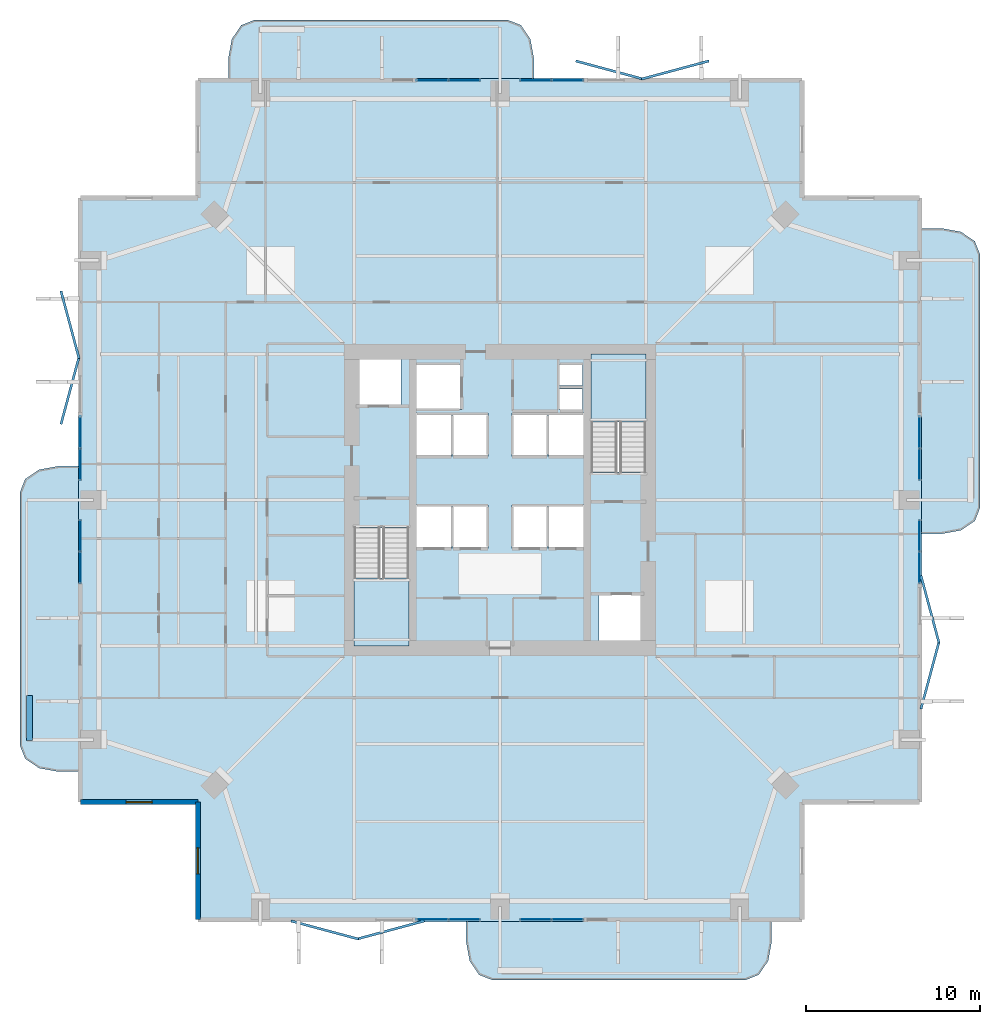
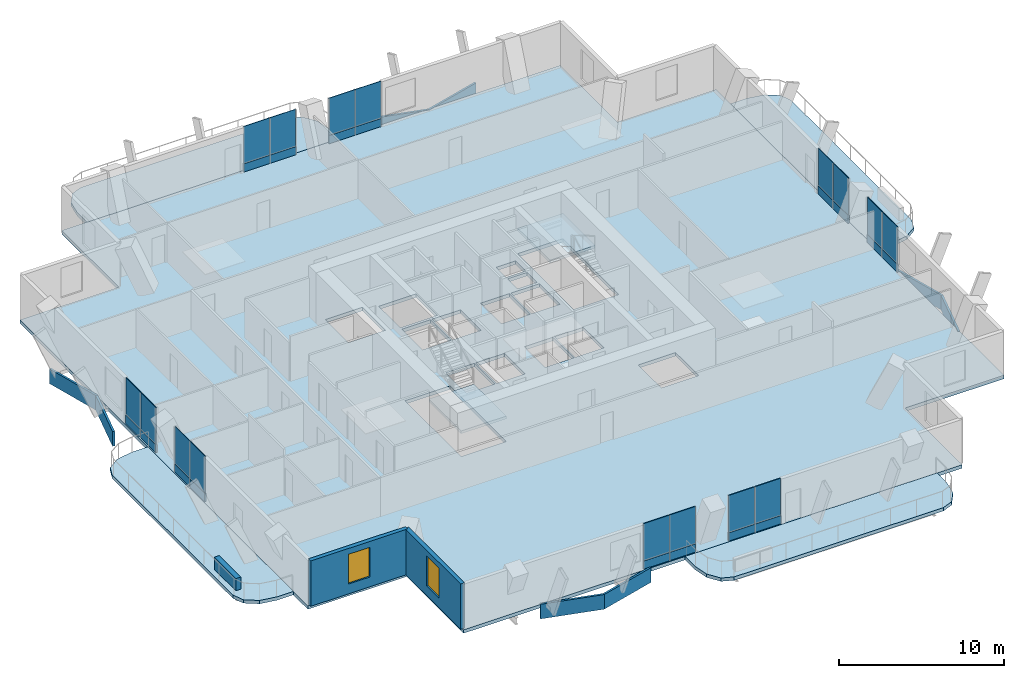
# One storey, part 17 of 24: 40 plates, 7 slabs, 3 walls, 2 windows, 2 openings, 10 elements without a shape of their own.
"""IFC4 building model written with IfcOpenShell, lengths in metres."""

from ifc_helpers import new_model, si_unit, direction, frame, frame_2d, origin, origin_2d, place, context, subcontext, project, spatial, polyline, rectangle, outline, extrude, material, layer, layer_set, type_object, element, fill, aggregate, save


model = new_model("IFC4")

# Units and contexts
model_context = context("Model", 3, precision=1e-05, world=origin(), true_north=direction((0.0, 1.0)))
body_context = subcontext(model_context, "Body", "Model", "MODEL_VIEW")
ifc_project = project(units=[si_unit("LENGTHUNIT", "METRE"), si_unit("AREAUNIT", "SQUARE_METRE"), si_unit("VOLUMEUNIT", "CUBIC_METRE"), si_unit("PLANEANGLEUNIT", "RADIAN"), si_unit("MASSUNIT", "GRAM", prefix="KILO")], contexts=[model_context])

# Site, building, storey
site_placement = place(None, origin())
site = spatial("IfcSite", under=ifc_project, at=site_placement, CompositionType="ELEMENT")
building_placement = place(site_placement, origin())
building = spatial("IfcBuilding", under=site, at=building_placement, Name="Belovzor Exchange Tower", CompositionType="ELEMENT")
storey_placement = place(building_placement, frame((0.0, 0.0, 190.800048828125)))
storey = spatial("IfcBuildingStorey", under=building, at=storey_placement, Name="L47", CompositionType="ELEMENT", Elevation=190.800048828125)

# Slab
ifc_material_1 = material(Name="Concrete C40/50", Category="concrete")
ifc_layer_1 = layer(ifc_material_1, 0.2548828125)
ifc_layer_set_1 = layer_set([ifc_layer_1], Name="Concrete C40/50")
slab_type_1 = type_object("IfcSlabType", Name="Composite Waist Floor Deck Slab 255", PredefinedType="FLOOR", material=ifc_layer_set_1)
slab_1_placement = place(storey_placement, frame((0.0, 0.0, -0.255126953125)))
element("IfcSlab", 1, at=slab_1_placement, inside=storey, type_object=slab_type_1, Name="SL-F255 Structural Slab L47", PredefinedType="FLOOR", context=body_context, shape_type="SweptSolid", body=[
    extrude(outline(polyline([(11.39990234375, 4.5), (46.199951171875, 4.5), (46.199951171875, 11.39990234375), (53.10009765625, 11.39990234375), (53.10009765625, 46.199951171875), (46.199951171875, 46.199951171875), (46.199951171875, 53.10009765625), (11.39990234375, 53.10009765625), (11.39990234375, 46.199951171875), (4.5, 46.199951171875), (4.5, 11.39990234375), (11.39990234375, 11.39990234375), (11.39990234375, 4.5)]), holes=[polyline([(20.39990234375, 27.175048828125), (20.39990234375, 20.39990234375), (23.550048828125, 20.39990234375), (23.550048828125, 27.175048828125), (20.39990234375, 27.175048828125)]), polyline([(37.199951171875, 30.425048828125), (37.199951171875, 37.199951171875), (34.050048828125, 37.199951171875), (34.050048828125, 30.425048828125), (37.199951171875, 30.425048828125)]), polyline([(20.5, 34.199951171875), (23.10009765625, 34.199951171875), (23.10009765625, 37.0), (20.5, 37.0), (20.5, 34.199951171875)]), polyline([(34.5, 20.60009765625), (37.10009765625, 20.60009765625), (37.10009765625, 23.39990234375), (34.5, 23.39990234375), (34.5, 20.60009765625)]), polyline([(24.0, 34.0), (26.60009765625, 34.0), (26.60009765625, 36.60009765625), (24.0, 36.60009765625), (24.0, 34.0)]), polyline([(24.0, 26.0), (26.0, 26.0), (26.0, 28.5), (24.0, 28.5), (24.0, 26.0)]), polyline([(26.10009765625, 26.0), (28.10009765625, 26.0), (28.10009765625, 28.5), (26.10009765625, 28.5), (26.10009765625, 26.0)]), polyline([(29.5, 26.0), (31.5, 26.0), (31.5, 28.5), (29.5, 28.5), (29.5, 26.0)]), polyline([(31.60009765625, 26.0), (33.60009765625, 26.0), (33.60009765625, 28.5), (31.60009765625, 28.5), (31.60009765625, 26.0)]), polyline([(24.0, 31.300048828125), (26.0, 31.300048828125), (26.0, 33.800048828125), (24.0, 33.800048828125), (24.0, 31.300048828125)]), polyline([(26.10009765625, 31.300048828125), (28.10009765625, 31.300048828125), (28.10009765625, 33.800048828125), (26.10009765625, 33.800048828125), (26.10009765625, 31.300048828125)]), polyline([(29.5, 31.300048828125), (31.5, 31.300048828125), (31.5, 33.800048828125), (29.5, 33.800048828125), (29.5, 31.300048828125)]), polyline([(31.60009765625, 31.300048828125), (33.60009765625, 31.300048828125), (33.60009765625, 33.800048828125), (31.60009765625, 33.800048828125), (31.60009765625, 31.300048828125)]), polyline([(32.199951171875, 34.0), (33.550048828125, 34.0), (33.550048828125, 35.199951171875), (32.199951171875, 35.199951171875), (32.199951171875, 34.0)]), polyline([(32.199951171875, 35.39990234375), (33.550048828125, 35.39990234375), (33.550048828125, 36.60009765625), (32.199951171875, 36.60009765625), (32.199951171875, 35.39990234375)])]), origin(), (0.0, 0.0, 1.0), 0.255126953125),
])

# Curtain wall, plates
ifc_material_2 = material(Name="Anodised Aluminium Framing", Category="aluminium")
ifc_layer_2 = layer(ifc_material_2, 0.179931640625)
ifc_layer_set_2 = layer_set([ifc_layer_2], Name="Anodised Aluminium Framing")
curtain_wall_type = type_object("IfcCurtainWallType", Name="Recessed Loggia Low-Iron Triple-Glazed Curtain Wall", PredefinedType="NOTDEFINED", material=ifc_layer_set_2)
curtain_wall_1_placement = place(storey_placement, origin())
curtain_wall_1 = element("IfcCurtainWall", 2, at=curtain_wall_1_placement, inside=storey, type_object=curtain_wall_type, Name="CW3 Recessed Loggia Low-Iron Triple-Glazed Curtain Wall L47", PredefinedType="NOTDEFINED")
ifc_material_3 = material(Name="Solar-Control Triple Glazing", Category="glass")
ifc_layer_3 = layer(ifc_material_3, 0.0439453125)
ifc_layer_set_3 = layer_set([ifc_layer_3], Name="Solar-Control Triple Glazing")
plate_type_1 = type_object("IfcPlateType", Name="Insulated Solar Glazing Curtain Panel 44", PredefinedType="CURTAIN_PANEL", material=ifc_layer_set_3)
plate_1_placement = place(storey_placement, frame((32.68798828125, 4.6298828125, 0.60546875), z_axis=(0.0, 0.0, 1.0), x_axis=(-1.0, 0.0, 0.0)))
plate_1 = element("IfcPlate", 3, at=plate_1_placement, type_object=plate_type_1, Name="GLZ-44 Glazed Curtain Panel 1", PredefinedType="CURTAIN_PANEL", context=body_context, shape_type="SweptSolid", body=[
    extrude(rectangle(XDim=1.80908203125, YDim=0.0439453125, at=origin_2d()), origin(), (0.0, 0.0, 1.0), 2.7451171875),
])
plate_2_placement = place(storey_placement, frame((30.863037109375, 4.6298828125, 0.60546875), z_axis=(0.0, 0.0, 1.0), x_axis=(-1.0, 0.0, 0.0)))
plate_2 = element("IfcPlate", 4, at=plate_2_placement, type_object=plate_type_1, Name="GLZ-44 Glazed Curtain Panel 2", PredefinedType="CURTAIN_PANEL", context=body_context, shape_type="SweptSolid", body=[
    extrude(rectangle(XDim=1.80908203125, YDim=0.0439453125, at=origin_2d()), origin(), (0.0, 0.0, 1.0), 2.7451171875),
])

curtain_wall_2_placement = place(storey_placement, origin())
curtain_wall_2 = element("IfcCurtainWall", 5, at=curtain_wall_2_placement, inside=storey, type_object=curtain_wall_type, Name="CW3 Recessed Loggia Low-Iron Triple-Glazed Curtain Wall L47", PredefinedType="NOTDEFINED")
plate_3_placement = place(storey_placement, frame((26.737060546875, 4.6298828125, 0.60546875), z_axis=(0.0, 0.0, 1.0), x_axis=(-1.0, 0.0, 0.0)))
plate_3 = element("IfcPlate", 6, at=plate_3_placement, type_object=plate_type_1, Name="GLZ-44 Glazed Curtain Panel 1", PredefinedType="CURTAIN_PANEL", context=body_context, shape_type="SweptSolid", body=[
    extrude(rectangle(XDim=1.80908203125, YDim=0.0439453125, at=origin_2d()), origin(), (0.0, 0.0, 1.0), 2.7451171875),
])
plate_4_placement = place(storey_placement, frame((24.9130859375, 4.6298828125, 0.60546875), z_axis=(0.0, 0.0, 1.0), x_axis=(-1.0, 0.0, 0.0)))
plate_4 = element("IfcPlate", 7, at=plate_4_placement, type_object=plate_type_1, Name="GLZ-44 Glazed Curtain Panel 2", PredefinedType="CURTAIN_PANEL", context=body_context, shape_type="SweptSolid", body=[
    extrude(rectangle(XDim=1.80908203125, YDim=0.0439453125, at=origin_2d()), origin(), (0.0, 0.0, 1.0), 2.7451171875),
])

curtain_wall_3_placement = place(storey_placement, origin())
curtain_wall_3 = element("IfcCurtainWall", 8, at=curtain_wall_3_placement, inside=storey, type_object=curtain_wall_type, Name="CW3 Recessed Loggia Low-Iron Triple-Glazed Curtain Wall L47", PredefinedType="NOTDEFINED")
plate_5_placement = place(storey_placement, frame((24.9130859375, 52.969970703125, 0.60546875), z_axis=(0.0, 0.0, 1.0), x_axis=(1.0, 0.0, 0.0)))
plate_5 = element("IfcPlate", 9, at=plate_5_placement, type_object=plate_type_1, Name="GLZ-44 Glazed Curtain Panel 1", PredefinedType="CURTAIN_PANEL", context=body_context, shape_type="SweptSolid", body=[
    extrude(rectangle(XDim=1.80908203125, YDim=0.0439453125, at=origin_2d()), origin(), (0.0, 0.0, 1.0), 2.7451171875),
])
plate_6_placement = place(storey_placement, frame((26.737060546875, 52.969970703125, 0.60546875), z_axis=(0.0, 0.0, 1.0), x_axis=(1.0, 0.0, 0.0)))
plate_6 = element("IfcPlate", 10, at=plate_6_placement, type_object=plate_type_1, Name="GLZ-44 Glazed Curtain Panel 2", PredefinedType="CURTAIN_PANEL", context=body_context, shape_type="SweptSolid", body=[
    extrude(rectangle(XDim=1.80908203125, YDim=0.0439453125, at=origin_2d()), origin(), (0.0, 0.0, 1.0), 2.7451171875),
])

curtain_wall_4_placement = place(storey_placement, origin())
curtain_wall_4 = element("IfcCurtainWall", 11, at=curtain_wall_4_placement, inside=storey, type_object=curtain_wall_type, Name="CW3 Recessed Loggia Low-Iron Triple-Glazed Curtain Wall L47", PredefinedType="NOTDEFINED")
plate_7_placement = place(storey_placement, frame((30.863037109375, 52.969970703125, 0.60546875), z_axis=(0.0, 0.0, 1.0), x_axis=(1.0, 0.0, 0.0)))
plate_7 = element("IfcPlate", 12, at=plate_7_placement, type_object=plate_type_1, Name="GLZ-44 Glazed Curtain Panel 1", PredefinedType="CURTAIN_PANEL", context=body_context, shape_type="SweptSolid", body=[
    extrude(rectangle(XDim=1.80908203125, YDim=0.0439453125, at=origin_2d()), origin(), (0.0, 0.0, 1.0), 2.7451171875),
])
plate_8_placement = place(storey_placement, frame((32.68798828125, 52.969970703125, 0.60546875), z_axis=(0.0, 0.0, 1.0), x_axis=(1.0, 0.0, 0.0)))
plate_8 = element("IfcPlate", 13, at=plate_8_placement, type_object=plate_type_1, Name="GLZ-44 Glazed Curtain Panel 2", PredefinedType="CURTAIN_PANEL", context=body_context, shape_type="SweptSolid", body=[
    extrude(rectangle(XDim=1.80908203125, YDim=0.0439453125, at=origin_2d()), origin(), (0.0, 0.0, 1.0), 2.7451171875),
])

curtain_wall_5_placement = place(storey_placement, origin())
curtain_wall_5 = element("IfcCurtainWall", 14, at=curtain_wall_5_placement, inside=storey, type_object=curtain_wall_type, Name="CW3 Recessed Loggia Low-Iron Triple-Glazed Curtain Wall L47", PredefinedType="NOTDEFINED")
plate_9_placement = place(storey_placement, frame((4.6298828125, 24.9130859375, 0.60546875), z_axis=(0.0, 0.0, 1.0), x_axis=(0.0, 1.0, 0.0)))
plate_9 = element("IfcPlate", 15, at=plate_9_placement, type_object=plate_type_1, Name="GLZ-44 Glazed Curtain Panel 1", PredefinedType="CURTAIN_PANEL", context=body_context, shape_type="SweptSolid", body=[
    extrude(rectangle(XDim=1.80908203125, YDim=0.0439453125, at=origin_2d()), origin(), (0.0, 0.0, 1.0), 2.7451171875),
])
plate_10_placement = place(storey_placement, frame((4.6298828125, 26.737060546875, 0.60546875), z_axis=(0.0, 0.0, 1.0), x_axis=(0.0, 1.0, 0.0)))
plate_10 = element("IfcPlate", 16, at=plate_10_placement, type_object=plate_type_1, Name="GLZ-44 Glazed Curtain Panel 2", PredefinedType="CURTAIN_PANEL", context=body_context, shape_type="SweptSolid", body=[
    extrude(rectangle(XDim=1.80908203125, YDim=0.0439453125, at=origin_2d()), origin(), (0.0, 0.0, 1.0), 2.7451171875),
])

curtain_wall_6_placement = place(storey_placement, origin())
curtain_wall_6 = element("IfcCurtainWall", 17, at=curtain_wall_6_placement, inside=storey, type_object=curtain_wall_type, Name="CW3 Recessed Loggia Low-Iron Triple-Glazed Curtain Wall L47", PredefinedType="NOTDEFINED")
plate_11_placement = place(storey_placement, frame((4.6298828125, 30.863037109375, 0.60546875), z_axis=(0.0, 0.0, 1.0), x_axis=(0.0, 1.0, 0.0)))
plate_11 = element("IfcPlate", 18, at=plate_11_placement, type_object=plate_type_1, Name="GLZ-44 Glazed Curtain Panel 1", PredefinedType="CURTAIN_PANEL", context=body_context, shape_type="SweptSolid", body=[
    extrude(rectangle(XDim=1.80908203125, YDim=0.0439453125, at=origin_2d()), origin(), (0.0, 0.0, 1.0), 2.7451171875),
])
plate_12_placement = place(storey_placement, frame((4.6298828125, 32.68798828125, 0.60546875), z_axis=(0.0, 0.0, 1.0), x_axis=(0.0, 1.0, 0.0)))
plate_12 = element("IfcPlate", 19, at=plate_12_placement, type_object=plate_type_1, Name="GLZ-44 Glazed Curtain Panel 2", PredefinedType="CURTAIN_PANEL", context=body_context, shape_type="SweptSolid", body=[
    extrude(rectangle(XDim=1.80908203125, YDim=0.0439453125, at=origin_2d()), origin(), (0.0, 0.0, 1.0), 2.7451171875),
])

curtain_wall_7_placement = place(storey_placement, origin())
curtain_wall_7 = element("IfcCurtainWall", 20, at=curtain_wall_7_placement, inside=storey, type_object=curtain_wall_type, Name="CW3 Recessed Loggia Low-Iron Triple-Glazed Curtain Wall L47", PredefinedType="NOTDEFINED")
plate_13_placement = place(storey_placement, frame((52.969970703125, 32.68798828125, 0.60546875), z_axis=(0.0, 0.0, 1.0), x_axis=(0.0, -1.0, 0.0)))
plate_13 = element("IfcPlate", 21, at=plate_13_placement, type_object=plate_type_1, Name="GLZ-44 Glazed Curtain Panel 1", PredefinedType="CURTAIN_PANEL", context=body_context, shape_type="SweptSolid", body=[
    extrude(rectangle(XDim=1.80908203125, YDim=0.0439453125, at=origin_2d()), origin(), (0.0, 0.0, 1.0), 2.7451171875),
])
plate_14_placement = place(storey_placement, frame((52.969970703125, 30.863037109375, 0.60546875), z_axis=(0.0, 0.0, 1.0), x_axis=(0.0, -1.0, 0.0)))
plate_14 = element("IfcPlate", 22, at=plate_14_placement, type_object=plate_type_1, Name="GLZ-44 Glazed Curtain Panel 2", PredefinedType="CURTAIN_PANEL", context=body_context, shape_type="SweptSolid", body=[
    extrude(rectangle(XDim=1.80908203125, YDim=0.0439453125, at=origin_2d()), origin(), (0.0, 0.0, 1.0), 2.7451171875),
])

curtain_wall_8_placement = place(storey_placement, origin())
curtain_wall_8 = element("IfcCurtainWall", 23, at=curtain_wall_8_placement, inside=storey, type_object=curtain_wall_type, Name="CW3 Recessed Loggia Low-Iron Triple-Glazed Curtain Wall L47", PredefinedType="NOTDEFINED")
plate_15_placement = place(storey_placement, frame((52.969970703125, 26.737060546875, 0.60546875), z_axis=(0.0, 0.0, 1.0), x_axis=(0.0, -1.0, 0.0)))
plate_15 = element("IfcPlate", 24, at=plate_15_placement, type_object=plate_type_1, Name="GLZ-44 Glazed Curtain Panel 1", PredefinedType="CURTAIN_PANEL", context=body_context, shape_type="SweptSolid", body=[
    extrude(rectangle(XDim=1.80908203125, YDim=0.0439453125, at=origin_2d()), origin(), (0.0, 0.0, 1.0), 2.7451171875),
])
plate_16_placement = place(storey_placement, frame((52.969970703125, 24.9130859375, 0.60546875), z_axis=(0.0, 0.0, 1.0), x_axis=(0.0, -1.0, 0.0)))
plate_16 = element("IfcPlate", 25, at=plate_16_placement, type_object=plate_type_1, Name="GLZ-44 Glazed Curtain Panel 2", PredefinedType="CURTAIN_PANEL", context=body_context, shape_type="SweptSolid", body=[
    extrude(rectangle(XDim=1.80908203125, YDim=0.0439453125, at=origin_2d()), origin(), (0.0, 0.0, 1.0), 2.7451171875),
])

# Plates
ifc_material_4 = material(Name="Extruded Architectural Terracotta", Category="masonry")
ifc_layer_4 = layer(ifc_material_4, 0.139892578125)
ifc_layer_set_4 = layer_set([ifc_layer_4], Name="Extruded Architectural Terracotta")
plate_type_2 = type_object("IfcPlateType", Name="Mid-Tower Folded Zigzag Terracotta Spandrel Louvre 120", PredefinedType="USERDEFINED", material=ifc_layer_set_4)
for number, where, z_axis, x_axis, name in (
    (26, (18.699951171875, 4.030029296875, -1.065185546875), (0.0, 0.0, 1.0), (0.965812803231, -0.259240485101, 0.0), "LVR-ZZ2 Zigzag Terracotta Spandrel Louvre L47 S1A"),
    (27, (22.5, 4.030029296875, -1.065185546875), (0.0, 0.0, 1.0), (0.965812803231, 0.259240485101, 0.0), "LVR-ZZ2 Zigzag Terracotta Spandrel Louvre L47 S1B"),
    (28, (53.570068359375, 18.699951171875, -1.065185546875), (0.0, 0.0, 1.0), (0.259240485101, 0.965812803231, 0.0), "LVR-ZZ2 Zigzag Terracotta Spandrel Louvre L47 E1A"),
    (29, (53.570068359375, 22.5, -1.065185546875), (0.0, 0.0, 1.0), (-0.259240485101, 0.965812803231, 0.0), "LVR-ZZ2 Zigzag Terracotta Spandrel Louvre L47 E1B"),
    (30, (35.10009765625, 53.570068359375, -1.065185546875), (0.0, 0.0, 1.0), (0.965812803231, -0.259240485101, 0.0), "LVR-ZZ2 Zigzag Terracotta Spandrel Louvre L47 N2A"),
    (31, (38.89990234375, 53.570068359375, -1.065185546875), (0.0, 0.0, 1.0), (0.965812803231, 0.259240485101, 0.0), "LVR-ZZ2 Zigzag Terracotta Spandrel Louvre L47 N2B"),
    (32, (4.030029296875, 35.10009765625, -1.065185546875), (0.0, 0.0, 1.0), (0.259240485101, 0.965812803231, 0.0), "LVR-ZZ2 Zigzag Terracotta Spandrel Louvre L47 W2A"),
    (33, (4.030029296875, 38.89990234375, -1.065185546875), (0.0, 0.0, 1.0), (-0.259240485101, 0.965812803231, 0.0), "LVR-ZZ2 Zigzag Terracotta Spandrel Louvre L47 W2B"),
):
    element("IfcPlate", number, at=place(storey_placement, frame(where, z_axis=z_axis, x_axis=x_axis)), inside=storey, type_object=plate_type_2, Name=name, ObjectType="SPANDREL_LOUVRE", PredefinedType="USERDEFINED", context=body_context, shape_type="SweptSolid", body=[
        extrude(rectangle(XDim=4.014892578125, YDim=0.139892578125, at=origin_2d()), origin(), (0.0, 0.0, 1.0), 1.080078125),
    ])

# Stair, slab
ifc_material_5 = material(Name="Concrete C40/50", Category="concrete")
stair_type = type_object("IfcStairType", Name="Reinforced Concrete Dogleg Escape Stair 1350", PredefinedType="HALF_TURN_STAIR", material=ifc_material_5)
stair_1_placement = place(storey_placement, origin())
stair_1 = element("IfcStair", 34, at=stair_1_placement, inside=storey, type_object=stair_type, Name="L47 ST-1", PredefinedType="HALF_TURN_STAIR")
ifc_material_6 = material(Name="Concrete C40/50", Category="concrete")
ifc_layer_5 = layer(ifc_material_6, 0.199951171875)
ifc_layer_set_5 = layer_set([ifc_layer_5], Name="Concrete C40/50")
slab_type_2 = type_object("IfcSlabType", Name="Reinforced Concrete Stair Half-Landing Slab 200", PredefinedType="LANDING", material=ifc_layer_set_5)
slab_2_placement = place(storey_placement, frame((0.0, 0.0, 1.675048828125)))
slab_2 = element("IfcSlab", 35, at=slab_2_placement, type_object=slab_type_2, Name="ST-1 landing 1", PredefinedType="LANDING", context=body_context, shape_type="SweptSolid", body=[
    extrude(outline(polyline([(20.39990234375, 24.300048828125), (20.39990234375, 20.39990234375), (23.550048828125, 20.39990234375), (23.550048828125, 24.300048828125), (20.39990234375, 24.300048828125)])), origin(), (0.0, 0.0, 1.0), 0.199951171875),
])
aggregate(stair_1, [slab_2])

stair_2_placement = place(storey_placement, origin())
stair_2 = element("IfcStair", 36, at=stair_2_placement, inside=storey, type_object=stair_type, Name="L47 ST-2", PredefinedType="HALF_TURN_STAIR")
slab_3_placement = place(storey_placement, frame((0.0, 0.0, 1.675048828125)))
slab_3 = element("IfcSlab", 37, at=slab_3_placement, type_object=slab_type_2, Name="ST-2 landing 1", PredefinedType="LANDING", context=body_context, shape_type="SweptSolid", body=[
    extrude(outline(polyline([(37.199951171875, 33.300048828125), (37.199951171875, 37.199951171875), (34.050048828125, 37.199951171875), (34.050048828125, 33.300048828125), (37.199951171875, 33.300048828125)])), origin(), (0.0, 0.0, 1.0), 0.199951171875),
])
aggregate(stair_2, [slab_3])

# Plate
ifc_material_7 = material(Name="Extruded Architectural Terracotta", Category="masonry")
ifc_layer_6 = layer(ifc_material_7, 0.090087890625)
ifc_layer_set_6 = layer_set([ifc_layer_6], Name="Extruded Architectural Terracotta")
plate_type_3 = type_object("IfcPlateType", Name="Terracotta Shadow-Box Spandrel Panel 90", PredefinedType="CURTAIN_PANEL", material=ifc_layer_set_6)
plate_17_placement = place(storey_placement, frame((32.68798828125, 4.6298828125, 0.00048828125), z_axis=(0.0, 0.0, 1.0), x_axis=(-1.0, 0.0, 0.0)))
plate_17 = element("IfcPlate", 38, at=plate_17_placement, type_object=plate_type_3, Name="SPD-90 Spandrel Panel 1", PredefinedType="CURTAIN_PANEL", context=body_context, shape_type="SweptSolid", body=[
    extrude(rectangle(XDim=1.80908203125, YDim=0.090087890625, at=origin_2d()), origin(), (0.0, 0.0, 1.0), 0.60107421875),
])

plate_18_placement = place(storey_placement, frame((30.863037109375, 4.6298828125, 0.00048828125), z_axis=(0.0, 0.0, 1.0), x_axis=(-1.0, 0.0, 0.0)))
plate_18 = element("IfcPlate", 39, at=plate_18_placement, type_object=plate_type_3, Name="SPD-90 Spandrel Panel 2", PredefinedType="CURTAIN_PANEL", context=body_context, shape_type="SweptSolid", body=[
    extrude(rectangle(XDim=1.80908203125, YDim=0.090087890625, at=origin_2d()), origin(), (0.0, 0.0, 1.0), 0.60107421875),
])

aggregate(curtain_wall_1, [plate_17, plate_1, plate_18, plate_2])

plate_19_placement = place(storey_placement, frame((26.737060546875, 4.6298828125, 0.00048828125), z_axis=(0.0, 0.0, 1.0), x_axis=(-1.0, 0.0, 0.0)))
plate_19 = element("IfcPlate", 40, at=plate_19_placement, type_object=plate_type_3, Name="SPD-90 Spandrel Panel 1", PredefinedType="CURTAIN_PANEL", context=body_context, shape_type="SweptSolid", body=[
    extrude(rectangle(XDim=1.80908203125, YDim=0.090087890625, at=origin_2d()), origin(), (0.0, 0.0, 1.0), 0.60107421875),
])

plate_20_placement = place(storey_placement, frame((24.9130859375, 4.6298828125, 0.00048828125), z_axis=(0.0, 0.0, 1.0), x_axis=(-1.0, 0.0, 0.0)))
plate_20 = element("IfcPlate", 41, at=plate_20_placement, type_object=plate_type_3, Name="SPD-90 Spandrel Panel 2", PredefinedType="CURTAIN_PANEL", context=body_context, shape_type="SweptSolid", body=[
    extrude(rectangle(XDim=1.80908203125, YDim=0.090087890625, at=origin_2d()), origin(), (0.0, 0.0, 1.0), 0.60107421875),
])

aggregate(curtain_wall_2, [plate_19, plate_3, plate_20, plate_4])

plate_21_placement = place(storey_placement, frame((24.9130859375, 52.969970703125, 0.00048828125), z_axis=(0.0, 0.0, 1.0), x_axis=(1.0, 0.0, 0.0)))
plate_21 = element("IfcPlate", 42, at=plate_21_placement, type_object=plate_type_3, Name="SPD-90 Spandrel Panel 1", PredefinedType="CURTAIN_PANEL", context=body_context, shape_type="SweptSolid", body=[
    extrude(rectangle(XDim=1.80908203125, YDim=0.090087890625, at=origin_2d()), origin(), (0.0, 0.0, 1.0), 0.60107421875),
])

plate_22_placement = place(storey_placement, frame((26.737060546875, 52.969970703125, 0.00048828125), z_axis=(0.0, 0.0, 1.0), x_axis=(1.0, 0.0, 0.0)))
plate_22 = element("IfcPlate", 43, at=plate_22_placement, type_object=plate_type_3, Name="SPD-90 Spandrel Panel 2", PredefinedType="CURTAIN_PANEL", context=body_context, shape_type="SweptSolid", body=[
    extrude(rectangle(XDim=1.80908203125, YDim=0.090087890625, at=origin_2d()), origin(), (0.0, 0.0, 1.0), 0.60107421875),
])

aggregate(curtain_wall_3, [plate_21, plate_5, plate_22, plate_6])

plate_23_placement = place(storey_placement, frame((30.863037109375, 52.969970703125, 0.00048828125), z_axis=(0.0, 0.0, 1.0), x_axis=(1.0, 0.0, 0.0)))
plate_23 = element("IfcPlate", 44, at=plate_23_placement, type_object=plate_type_3, Name="SPD-90 Spandrel Panel 1", PredefinedType="CURTAIN_PANEL", context=body_context, shape_type="SweptSolid", body=[
    extrude(rectangle(XDim=1.80908203125, YDim=0.090087890625, at=origin_2d()), origin(), (0.0, 0.0, 1.0), 0.60107421875),
])

plate_24_placement = place(storey_placement, frame((32.68798828125, 52.969970703125, 0.00048828125), z_axis=(0.0, 0.0, 1.0), x_axis=(1.0, 0.0, 0.0)))
plate_24 = element("IfcPlate", 45, at=plate_24_placement, type_object=plate_type_3, Name="SPD-90 Spandrel Panel 2", PredefinedType="CURTAIN_PANEL", context=body_context, shape_type="SweptSolid", body=[
    extrude(rectangle(XDim=1.80908203125, YDim=0.090087890625, at=origin_2d()), origin(), (0.0, 0.0, 1.0), 0.60107421875),
])

aggregate(curtain_wall_4, [plate_23, plate_7, plate_24, plate_8])

plate_25_placement = place(storey_placement, frame((4.6298828125, 24.9130859375, 0.00048828125), z_axis=(0.0, 0.0, 1.0), x_axis=(0.0, 1.0, 0.0)))
plate_25 = element("IfcPlate", 46, at=plate_25_placement, type_object=plate_type_3, Name="SPD-90 Spandrel Panel 1", PredefinedType="CURTAIN_PANEL", context=body_context, shape_type="SweptSolid", body=[
    extrude(rectangle(XDim=1.80908203125, YDim=0.090087890625, at=origin_2d()), origin(), (0.0, 0.0, 1.0), 0.60107421875),
])

plate_26_placement = place(storey_placement, frame((4.6298828125, 26.737060546875, 0.00048828125), z_axis=(0.0, 0.0, 1.0), x_axis=(0.0, 1.0, 0.0)))
plate_26 = element("IfcPlate", 47, at=plate_26_placement, type_object=plate_type_3, Name="SPD-90 Spandrel Panel 2", PredefinedType="CURTAIN_PANEL", context=body_context, shape_type="SweptSolid", body=[
    extrude(rectangle(XDim=1.80908203125, YDim=0.090087890625, at=origin_2d()), origin(), (0.0, 0.0, 1.0), 0.60107421875),
])

aggregate(curtain_wall_5, [plate_25, plate_9, plate_26, plate_10])

plate_27_placement = place(storey_placement, frame((4.6298828125, 30.863037109375, 0.00048828125), z_axis=(0.0, 0.0, 1.0), x_axis=(0.0, 1.0, 0.0)))
plate_27 = element("IfcPlate", 48, at=plate_27_placement, type_object=plate_type_3, Name="SPD-90 Spandrel Panel 1", PredefinedType="CURTAIN_PANEL", context=body_context, shape_type="SweptSolid", body=[
    extrude(rectangle(XDim=1.80908203125, YDim=0.090087890625, at=origin_2d()), origin(), (0.0, 0.0, 1.0), 0.60107421875),
])

plate_28_placement = place(storey_placement, frame((4.6298828125, 32.68798828125, 0.00048828125), z_axis=(0.0, 0.0, 1.0), x_axis=(0.0, 1.0, 0.0)))
plate_28 = element("IfcPlate", 49, at=plate_28_placement, type_object=plate_type_3, Name="SPD-90 Spandrel Panel 2", PredefinedType="CURTAIN_PANEL", context=body_context, shape_type="SweptSolid", body=[
    extrude(rectangle(XDim=1.80908203125, YDim=0.090087890625, at=origin_2d()), origin(), (0.0, 0.0, 1.0), 0.60107421875),
])

aggregate(curtain_wall_6, [plate_27, plate_11, plate_28, plate_12])

plate_29_placement = place(storey_placement, frame((52.969970703125, 32.68798828125, 0.00048828125), z_axis=(0.0, 0.0, 1.0), x_axis=(0.0, -1.0, 0.0)))
plate_29 = element("IfcPlate", 50, at=plate_29_placement, type_object=plate_type_3, Name="SPD-90 Spandrel Panel 1", PredefinedType="CURTAIN_PANEL", context=body_context, shape_type="SweptSolid", body=[
    extrude(rectangle(XDim=1.80908203125, YDim=0.090087890625, at=origin_2d()), origin(), (0.0, 0.0, 1.0), 0.60107421875),
])

plate_30_placement = place(storey_placement, frame((52.969970703125, 30.863037109375, 0.00048828125), z_axis=(0.0, 0.0, 1.0), x_axis=(0.0, -1.0, 0.0)))
plate_30 = element("IfcPlate", 51, at=plate_30_placement, type_object=plate_type_3, Name="SPD-90 Spandrel Panel 2", PredefinedType="CURTAIN_PANEL", context=body_context, shape_type="SweptSolid", body=[
    extrude(rectangle(XDim=1.80908203125, YDim=0.090087890625, at=origin_2d()), origin(), (0.0, 0.0, 1.0), 0.60107421875),
])

aggregate(curtain_wall_7, [plate_29, plate_13, plate_30, plate_14])

plate_31_placement = place(storey_placement, frame((52.969970703125, 26.737060546875, 0.00048828125), z_axis=(0.0, 0.0, 1.0), x_axis=(0.0, -1.0, 0.0)))
plate_31 = element("IfcPlate", 52, at=plate_31_placement, type_object=plate_type_3, Name="SPD-90 Spandrel Panel 1", PredefinedType="CURTAIN_PANEL", context=body_context, shape_type="SweptSolid", body=[
    extrude(rectangle(XDim=1.80908203125, YDim=0.090087890625, at=origin_2d()), origin(), (0.0, 0.0, 1.0), 0.60107421875),
])

plate_32_placement = place(storey_placement, frame((52.969970703125, 24.9130859375, 0.00048828125), z_axis=(0.0, 0.0, 1.0), x_axis=(0.0, -1.0, 0.0)))
plate_32 = element("IfcPlate", 53, at=plate_32_placement, type_object=plate_type_3, Name="SPD-90 Spandrel Panel 2", PredefinedType="CURTAIN_PANEL", context=body_context, shape_type="SweptSolid", body=[
    extrude(rectangle(XDim=1.80908203125, YDim=0.090087890625, at=origin_2d()), origin(), (0.0, 0.0, 1.0), 0.60107421875),
])

aggregate(curtain_wall_8, [plate_31, plate_15, plate_32, plate_16])

# Slabs
ifc_material_8 = material(Name="Concrete C40/50", Category="concrete")
ifc_layer_7 = layer(ifc_material_8, 0.25)
ifc_layer_set_7 = layer_set([ifc_layer_7], Name="Concrete C40/50")
slab_type_3 = type_object("IfcSlabType", Name="Thermally Broken Planted Balcony Slab 250", PredefinedType="FLOOR", material=ifc_layer_set_7)
slab_4_placement = place(storey_placement, frame((0.0, 0.0, -0.25)))
element("IfcSlab", 54, at=slab_4_placement, inside=storey, type_object=slab_type_3, Name="SL-BAL220 Planted Balcony Loggia L47 South", PredefinedType="FLOOR", context=body_context, shape_type="SweptSolid", body=[
    extrude(outline(polyline([(26.85009765625, 4.514892578125), (26.85009765625, 3.35009765625), (27.051025390625, 2.25), (27.60009765625, 1.445068359375), (28.35009765625, 1.14990234375), (42.949951171875, 1.14990234375), (43.699951171875, 1.445068359375), (44.2490234375, 2.25), (44.449951171875, 3.35009765625), (44.449951171875, 4.514892578125), (26.85009765625, 4.514892578125)])), origin(), (0.0, 0.0, 1.0), 0.25),
])
slab_5_placement = place(storey_placement, frame((0.0, 0.0, -0.25)))
element("IfcSlab", 55, at=slab_5_placement, inside=storey, type_object=slab_type_3, Name="SL-BAL220 Planted Balcony Loggia L47 North", PredefinedType="FLOOR", context=body_context, shape_type="SweptSolid", body=[
    extrude(outline(polyline([(30.75, 53.0849609375), (30.75, 54.25), (30.549072265625, 55.35009765625), (30.0, 56.155029296875), (29.25, 56.449951171875), (14.64990234375, 56.449951171875), (13.89990234375, 56.155029296875), (13.35107421875, 55.35009765625), (13.14990234375, 54.25), (13.14990234375, 53.0849609375), (30.75, 53.0849609375)])), origin(), (0.0, 0.0, 1.0), 0.25),
])
slab_6_placement = place(storey_placement, frame((0.0, 0.0, -0.25)))
element("IfcSlab", 56, at=slab_6_placement, inside=storey, type_object=slab_type_3, Name="SL-BAL220 Planted Balcony Loggia L47 East", PredefinedType="FLOOR", context=body_context, shape_type="SweptSolid", body=[
    extrude(outline(polyline([(53.0849609375, 26.85009765625), (54.25, 26.85009765625), (55.35009765625, 27.051025390625), (56.155029296875, 27.60009765625), (56.449951171875, 28.35009765625), (56.449951171875, 42.949951171875), (56.155029296875, 43.699951171875), (55.35009765625, 44.2490234375), (54.25, 44.449951171875), (53.0849609375, 44.449951171875), (53.0849609375, 26.85009765625)])), origin(), (0.0, 0.0, 1.0), 0.25),
])
slab_7_placement = place(storey_placement, frame((0.0, 0.0, -0.25)))
element("IfcSlab", 57, at=slab_7_placement, inside=storey, type_object=slab_type_3, Name="SL-BAL220 Planted Balcony Loggia L47 West", PredefinedType="FLOOR", context=body_context, shape_type="SweptSolid", body=[
    extrude(outline(polyline([(4.514892578125, 30.75), (3.35009765625, 30.75), (2.25, 30.549072265625), (1.445068359375, 30.0), (1.14990234375, 29.25), (1.14990234375, 14.64990234375), (1.445068359375, 13.89990234375), (2.25, 13.35107421875), (3.35009765625, 13.14990234375), (4.514892578125, 13.14990234375), (4.514892578125, 30.75)])), origin(), (0.0, 0.0, 1.0), 0.25),
])

# Wall, opening, window
ifc_material_9 = material(Name="Precast concrete C40/50", Category="concrete")
ifc_layer_8 = layer(ifc_material_9, 0.280029296875)
ifc_layer_set_8 = layer_set([ifc_layer_8], Name="Precast concrete C40/50")
wall_type_1 = type_object("IfcWallType", Name="Precast Concrete Notched Corner Frame Wall 280", PredefinedType="SOLIDWALL", material=ifc_layer_set_8)
wall_1_placement = place(storey_placement, frame((11.39990234375, 4.6298828125, 0.0), z_axis=(0.0, 0.0, 1.0), x_axis=(0.0, 1.0, 0.0)))
wall_1 = element("IfcWall", 58, at=wall_1_placement, inside=storey, type_object=wall_type_1, Name="W-CRN280 Precast Concrete Notched Corner Frame Wall 280 L47", PredefinedType="SOLIDWALL", context=body_context, shape_type="SweptSolid", body=[
    extrude(rectangle(XDim=6.77001953125, YDim=0.280029296875, at=frame_2d((3.385009765625, 0.0))), origin(), (0.0, 0.0, 1.0), 3.349853515625),
])
opening_1_placement = place(wall_1_placement, frame((2.635009765625, 0.0, 0.719970703125)))
opening_1 = element("IfcOpeningElement", 59, at=opening_1_placement, cuts=wall_1, Name="Opening WN-CRN150", PredefinedType="OPENING", context=body_context, shape_type="SweptSolid", body=[
    extrude(rectangle(XDim=1.5, YDim=2.199951171875, at=frame_2d((0.75, 1.10009765625))), frame((0.0, 0.14990234375, 0.0), z_axis=(0.0, -1.0, 0.0), x_axis=(1.0, 0.0, 0.0)), (0.0, 0.0, 1.0), 0.300048828125),
])
ifc_material_10 = material(Name="Thermally Broken Aluminium and Triple Glazing", Category="aluminium")
window_type = type_object("IfcWindowType", Name="Streamline Notched Corner Window 1500x2200", PartitioningType="SINGLE_PANEL", PredefinedType="WINDOW", material=ifc_material_10)
window_1_placement = place(opening_1_placement, origin())
window_1 = element("IfcWindow", 60, at=window_1_placement, inside=storey, type_object=window_type, Name="WN-CRN150 Streamline Notched Corner Window 1500x2200", OverallHeight=2.199951171875, OverallWidth=1.5, PartitioningType="SINGLE_PANEL", PredefinedType="WINDOW", context=body_context, shape_type="SweptSolid", body=[
    extrude(rectangle(XDim=1.5, YDim=2.199951171875, at=frame_2d((0.75, 1.10009765625))), frame((0.0, 0.030029296875, 0.0), z_axis=(0.0, -1.0, 0.0), x_axis=(1.0, 0.0, 0.0)), (0.0, 0.0, 1.0), 0.06005859375),
])
fill(opening_1, window_1)

wall_2_placement = place(storey_placement, frame((11.39990234375, 11.39990234375, 0.0), z_axis=(0.0, 0.0, 1.0), x_axis=(-1.0, 0.0, 0.0)))
wall_2 = element("IfcWall", 61, at=wall_2_placement, inside=storey, type_object=wall_type_1, Name="W-CRN280 Precast Concrete Notched Corner Frame Wall 280 L47", PredefinedType="SOLIDWALL", context=body_context, shape_type="SweptSolid", body=[
    extrude(rectangle(XDim=6.77001953125, YDim=0.280029296875, at=frame_2d((3.385009765625, 0.0))), origin(), (0.0, 0.0, 1.0), 3.349853515625),
])
opening_2_placement = place(wall_2_placement, frame((2.635009765625, 0.0, 0.719970703125)))
opening_2 = element("IfcOpeningElement", 62, at=opening_2_placement, cuts=wall_2, Name="Opening WN-CRN150", PredefinedType="OPENING", context=body_context, shape_type="SweptSolid", body=[
    extrude(rectangle(XDim=1.5, YDim=2.199951171875, at=frame_2d((0.75, 1.10009765625))), frame((0.0, 0.14990234375, 0.0), z_axis=(0.0, -1.0, 0.0), x_axis=(1.0, 0.0, 0.0)), (0.0, 0.0, 1.0), 0.300048828125),
])
window_2_placement = place(opening_2_placement, origin())
window_2 = element("IfcWindow", 63, at=window_2_placement, inside=storey, type_object=window_type, Name="WN-CRN150 Streamline Notched Corner Window 1500x2200", OverallHeight=2.199951171875, OverallWidth=1.5, PartitioningType="SINGLE_PANEL", PredefinedType="WINDOW", context=body_context, shape_type="SweptSolid", body=[
    extrude(rectangle(XDim=1.5, YDim=2.199951171875, at=frame_2d((0.75, 1.10009765625))), frame((0.0, 0.030029296875, 0.0), z_axis=(0.0, -1.0, 0.0), x_axis=(1.0, 0.0, 0.0)), (0.0, 0.0, 1.0), 0.06005859375),
])
fill(opening_2, window_2)

# Wall
ifc_material_11 = material(Name="Precast concrete C40/50", Category="concrete")
ifc_layer_9 = layer(ifc_material_11, 0.35009765625)
ifc_layer_set_9 = layer_set([ifc_layer_9], Name="Precast concrete C40/50")
wall_type_2 = type_object("IfcWallType", Name="Precast Concrete Structural Tree Planter Trough 350", PredefinedType="PARAPET", material=ifc_layer_set_9)
wall_3_placement = place(storey_placement, frame((1.699951171875, 14.949951171875, 0.0), z_axis=(0.0, 0.0, 1.0), x_axis=(0.0, 1.0, 0.0)))
element("IfcWall", 64, at=wall_3_placement, inside=storey, type_object=wall_type_2, Name="PT-350 Precast Concrete Structural Tree Planter Trough 350 L47", PredefinedType="PARAPET", context=body_context, shape_type="SweptSolid", body=[
    extrude(rectangle(XDim=2.60009765625, YDim=0.35009765625, at=frame_2d((1.300048828125, 0.0))), origin(), (0.0, 0.0, 1.0), 0.89990234375),
])

save(model, "model.ifc")
